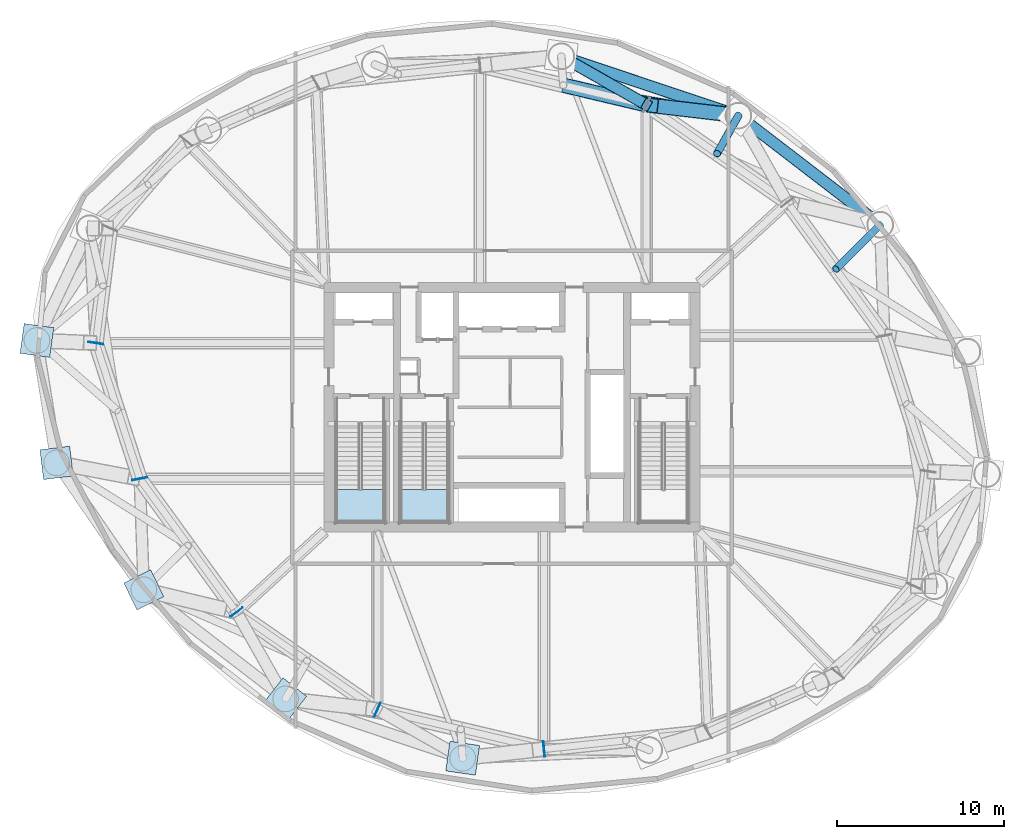
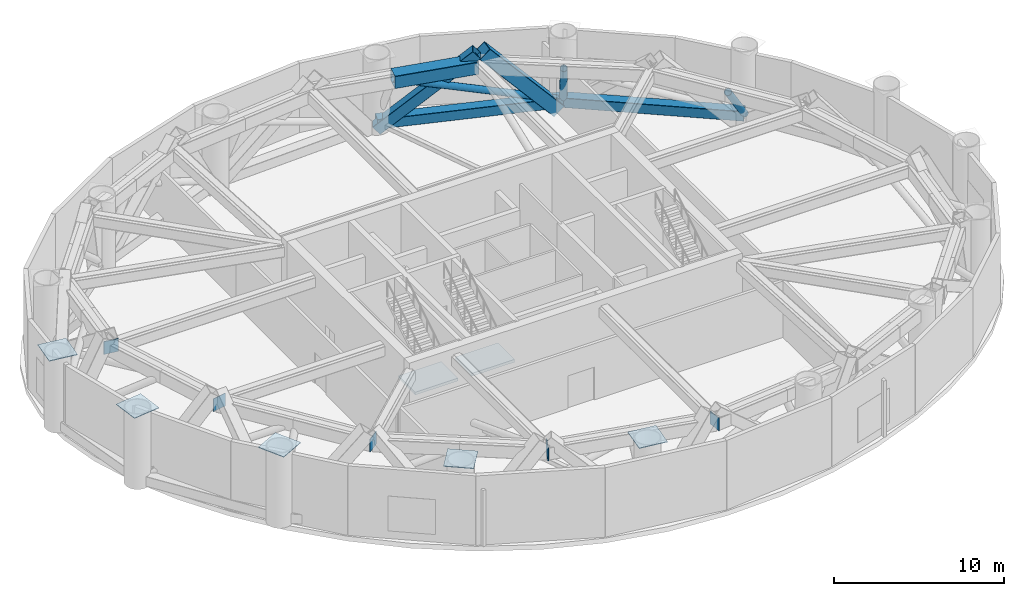
# One storey, part 4 of 13: 10 plates, 8 members, 2 slabs, 2 elements without a shape of their own.
"""IFC4 building model written with IfcOpenShell, lengths in metres."""

from ifc_helpers import new_model, si_unit, direction, frame, origin, origin_2d, place, context, subcontext, project, spatial, polyline, rectangle, hollow_rectangle, hollow_circle, outline, extrude, material, layer, layer_set, material_profile, profile_set, type_object, element, aggregate, save


model = new_model("IFC4")

# Units and contexts
model_context = context("Model", 3, precision=1e-05, world=origin(), true_north=direction((0.0, 1.0)))
body_context = subcontext(model_context, "Body", "Model", "MODEL_VIEW")
ifc_project = project(units=[si_unit("LENGTHUNIT", "METRE"), si_unit("AREAUNIT", "SQUARE_METRE"), si_unit("VOLUMEUNIT", "CUBIC_METRE"), si_unit("PLANEANGLEUNIT", "RADIAN"), si_unit("MASSUNIT", "GRAM", prefix="KILO")], contexts=[model_context])

# Site, building, storey
site_placement = place(None, origin())
site = spatial("IfcSite", under=ifc_project, at=site_placement, CompositionType="ELEMENT")
building_placement = place(site_placement, origin())
building = spatial("IfcBuilding", under=site, at=building_placement, Name="Bramvorn Convention Spire", CompositionType="ELEMENT")
storey_placement = place(building_placement, frame((0.0, 0.0, 97.39990234375)))
storey = spatial("IfcBuildingStorey", under=building, at=storey_placement, Name="L23", CompositionType="ELEMENT", Elevation=97.39990234375)

# Members
ifc_material_1 = material(Name="Steel CSA G40.21 Grade 350 (350W)", Category="steel")
ifc_material_profile_1 = material_profile(ifc_material_1, hollow_rectangle(XDim=0.699951171875, YDim=0.699951171875, WallThickness=0.034912109375, InnerFilletRadius=0.0009765625, OuterFilletRadius=0.034912109375, at=origin_2d()))
ifc_profile_set_1 = profile_set([ifc_material_profile_1], Name="Steel CSA G40.21 Grade 350 (350W) - BOX700X700X35")
member_type_1 = type_object("IfcMemberType", Name="MBR-BOX700X700X35", PredefinedType="CHORD", material=ifc_profile_set_1)
member_1_placement = place(storey_placement, frame((60.105224609375, 36.960205078125, 0.4501953125), z_axis=(-0.792672990445, 0.609647053809, 0.0), x_axis=(-0.609647053809, -0.792672990445, 0.0)))
element("IfcMember", 1, at=member_1_placement, inside=storey, type_object=member_type_1, Name="L23 belt truss bottom chord 3", PredefinedType="CHORD", context=body_context, shape_type="SweptSolid", body=[
    extrude(hollow_rectangle(XDim=0.699951171875, YDim=0.699951171875, WallThickness=0.034912109375, InnerFilletRadius=0.0009765625, OuterFilletRadius=0.034912109375, at=origin_2d()), origin(), (0.0, 0.0, 1.0), 10.741943359375),
])
member_2_placement = place(storey_placement, frame((51.59033203125, 43.509033203125, 0.4501953125), z_axis=(-0.948235872727, 0.317566890078, 0.0), x_axis=(-0.317566890078, -0.948235872727, 0.0)))
element("IfcMember", 2, at=member_2_placement, inside=storey, type_object=member_type_1, Name="L23 belt truss bottom chord 4", PredefinedType="CHORD", context=body_context, shape_type="SweptSolid", body=[
    extrude(hollow_rectangle(XDim=0.699951171875, YDim=0.699951171875, WallThickness=0.034912109375, InnerFilletRadius=0.0009765625, OuterFilletRadius=0.034912109375, at=origin_2d()), origin(), (0.0, 0.0, 1.0), 11.209716796875),
])
member_3_placement = place(storey_placement, frame((40.9609375, 47.06884765625, 0.0), z_axis=(0.640775593306, -0.364660842199, 0.675595373866), x_axis=(0.49460788428, 0.869116241252, 0.0)))
element("IfcMember", 3, at=member_3_placement, inside=storey, type_object=member_type_1, Name="L23 step-in secondary transfer strut MC05", PredefinedType="CHORD", context=body_context, shape_type="SweptSolid", body=[
    extrude(hollow_rectangle(XDim=0.699951171875, YDim=0.699951171875, WallThickness=0.034912109375, InnerFilletRadius=0.0009765625, OuterFilletRadius=0.034912109375, at=origin_2d()), origin(), (0.0, 0.0, 1.0), 7.9931640625),
])
ifc_material_profile_2 = material_profile(ifc_material_1, hollow_rectangle(XDim=0.89990234375, YDim=0.89990234375, WallThickness=0.044921875, InnerFilletRadius=0.0009765625, OuterFilletRadius=0.044921875, at=origin_2d()))
ifc_profile_set_2 = profile_set([ifc_material_profile_2], Name="Steel CSA G40.21 Grade 350 (350W) - BOX900X900X45")
member_type_2 = type_object("IfcMemberType", Name="MBR-BOX900X900X45", PredefinedType="CHORD", material=ifc_profile_set_2)
member_4_placement = place(storey_placement, frame((46.082763671875, 44.154052734375, 4.530029296875), z_axis=(-0.97322750491, 0.229843911572, 0.0), x_axis=(-0.229843911572, -0.97322750491, 0.0)))
element("IfcMember", 4, at=member_4_placement, inside=storey, type_object=member_type_2, Name="L23 belt truss top chord 5A", PredefinedType="CHORD", context=body_context, shape_type="SweptSolid", body=[
    extrude(hollow_rectangle(XDim=0.89990234375, YDim=0.89990234375, WallThickness=0.044921875, InnerFilletRadius=0.0009765625, OuterFilletRadius=0.044921875, at=origin_2d()), origin(), (0.0, 0.0, 1.0), 5.14111328125),
])
member_5_placement = place(storey_placement, frame((51.143310546875, 43.561279296875, 0.0), z_axis=(-0.655595679161, 0.076787289193, 0.751197722097), x_axis=(-0.116330760731, -0.993210528593, 0.0)))
element("IfcMember", 5, at=member_5_placement, inside=storey, type_object=member_type_2, Name="L23 step-in mega-column transfer strut MC05", PredefinedType="CHORD", context=body_context, shape_type="SweptSolid", body=[
    extrude(hollow_rectangle(XDim=0.89990234375, YDim=0.89990234375, WallThickness=0.044921875, InnerFilletRadius=0.0009765625, OuterFilletRadius=0.044921875, at=origin_2d()), origin(), (0.0, 0.0, 1.0), 7.188720703125),
])
ifc_material_profile_3 = material_profile(ifc_material_1, hollow_circle(Radius=0.228515625, WallThickness=0.01904296875, at=origin_2d()))
ifc_profile_set_3 = profile_set([ifc_material_profile_3], Name="Steel CSA G40.21 Grade 350 (350W) - CHS457X19")
member_type_3 = type_object("IfcMemberType", Name="MBR-CHS457X19", PredefinedType="BRACE", material=ifc_profile_set_3)
member_6_placement = place(storey_placement, frame((60.105224609375, 36.960205078125, 0.4501953125), z_axis=(-0.479858564622, -0.479682727845, 0.734602095401), x_axis=(0.706977191383, -0.707236347245, 0.0)))
element("IfcMember", 6, at=member_6_placement, inside=storey, type_object=member_type_3, Name="L23 ring belt diagonal 3B", PredefinedType="BRACE", context=body_context, shape_type="SweptSolid", body=[
    extrude(hollow_circle(Radius=0.228515625, WallThickness=0.01904296875, at=origin_2d()), origin(), (0.0, 0.0, 1.0), 5.5537109375),
])
member_7_placement = place(storey_placement, frame((51.59033203125, 43.509033203125, 0.4501953125), z_axis=(-0.264369240811, -0.470868362039, 0.841660198741), x_axis=(0.871966322925, -0.489565860416, 0.0)))
element("IfcMember", 7, at=member_7_placement, inside=storey, type_object=member_type_3, Name="L23 ring belt diagonal 4B", PredefinedType="BRACE", context=body_context, shape_type="SweptSolid", body=[
    extrude(hollow_circle(Radius=0.228515625, WallThickness=0.01904296875, at=origin_2d()), origin(), (0.0, 0.0, 1.0), 4.847412109375),
])
member_8_placement = place(storey_placement, frame((51.59033203125, 43.509033203125, 0.4501953125), z_axis=(-0.920238741123, 0.159924424804, 0.357190198196), x_axis=(-0.171219488354, -0.985232909929, 0.0)))
element("IfcMember", 8, at=member_8_placement, inside=storey, type_object=member_type_3, Name="L23 ring belt diagonal 5A", PredefinedType="BRACE", context=body_context, shape_type="SweptSolid", body=[
    extrude(hollow_circle(Radius=0.228515625, WallThickness=0.01904296875, at=origin_2d()), origin(), (0.0, 0.0, 1.0), 11.422119140625),
])

# Plates
ifc_layer_1 = layer(ifc_material_1, 0.044921875)
ifc_layer_set_1 = layer_set([ifc_layer_1], Name="Steel CSA G40.21 Grade 350 (350W) - PLT-NODE-CAP-45")
plate_type_1 = type_object("IfcPlateType", Name="PLT-NODE-CAP-45", PredefinedType="SHEET", material=ifc_layer_set_1)
for number, where, z_axis, x_axis, name in (
    (9, (9.480224609375, 30.00830078125, 5.400146484375), (0.0, 0.0, 1.0), (-0.990267984726, 0.13917369876, 0.0), "L23 CFT mega-column MC09 transition cap plate"),
    (10, (10.661376953125, 22.659912109375, 5.400146484375), (0.0, 0.0, 1.0), (-0.9926191329, -0.121273480201, 0.0), "L23 CFT mega-column MC10 transition cap plate"),
    (11, (15.894775390625, 15.039794921875, 5.400146484375), (0.0, 0.0, 1.0), (-0.895920156137, -0.444215121115, 0.0), "L23 CFT mega-column MC11 transition cap plate"),
    (12, (24.40966796875, 8.490966796875, 5.400146484375), (0.0, 0.0, 1.0), (-0.613158497897, -0.789959908133, 0.0), "L23 CFT mega-column MC12 transition cap plate"),
    (13, (35.0390625, 4.93115234375, 5.400146484375), (0.0, 0.0, 1.0), (-0.139171220798, -0.990268332979, 0.0), "L23 CFT mega-column MC13 transition cap plate"),
):
    element("IfcPlate", number, at=place(storey_placement, frame(where, z_axis=z_axis, x_axis=x_axis)), inside=storey, type_object=plate_type_1, Name=name, PredefinedType="SHEET", context=body_context, shape_type="SweptSolid", body=[
        extrude(rectangle(XDim=1.800048828125, YDim=1.800048828125, at=origin_2d()), origin(), (0.0, 0.0, 1.0), 0.044921875),
    ])
ifc_layer_2 = layer(ifc_material_1, 0.044921875)
ifc_layer_set_2 = layer_set([ifc_layer_2], Name="Steel CSA G40.21 Grade 350 (350W) - PLT-TRUSS-CAP-45")
plate_type_2 = type_object("IfcPlateType", Name="PLT-TRUSS-CAP-45", PredefinedType="SHEET", material=ifc_layer_set_2)
for number, where, z_axis, x_axis, name in (
    (14, (13.016357421875, 29.851806640625, 4.070068359375), (0.0, 0.0, 1.0), (-0.988323766562, 0.152368410274, 0.0), "Truss node KN-23-10 closed end-cap plate"),
    (15, (15.654296875, 21.706787109375, 4.070068359375), (0.0, 0.0, 1.0), (-0.982040253969, -0.188671512384, 0.0), "Truss node KN-23-11 closed end-cap plate"),
    (16, (21.465087890625, 13.700927734375, 4.070068359375), (0.0, 0.0, 1.0), (-0.802371890462, -0.596824387401, 0.0), "Truss node KN-23-12 closed end-cap plate"),
    (17, (29.917236328125, 7.845947265625, 4.070068359375), (0.0, 0.0, 1.0), (-0.406737417797, -0.913545112714, 0.0), "Truss node KN-23-13 closed end-cap plate"),
    (18, (39.924072265625, 5.482666015625, 4.070068359375), (0.0, 0.0, 1.0), (0.093364459735, -0.995631999113, 0.0), "Truss node KN-23-14 closed end-cap plate"),
):
    element("IfcPlate", number, at=place(storey_placement, frame(where, z_axis=z_axis, x_axis=x_axis)), inside=storey, type_object=plate_type_2, Name=name, PredefinedType="SHEET", context=body_context, shape_type="SweptSolid", body=[
        extrude(rectangle(XDim=0.919921875, YDim=0.044921875, at=origin_2d()), origin(), (0.0, 0.0, 1.0), 0.919921875),
    ])

# Stair, slab
ifc_material_2 = material(Name="Concrete C40/50 Precast Stair", Category="concrete")
stair_type = type_object("IfcStairType", Name="ST-TOWER-1550", PredefinedType="HALF_TURN_STAIR", material=ifc_material_2)
stair_1_placement = place(storey_placement, origin())
stair_1 = element("IfcStair", 19, at=stair_1_placement, inside=storey, type_object=stair_type, Name="L23 Protected Exit Stair ST1", PredefinedType="HALF_TURN_STAIR")
ifc_material_3 = material(Name="Concrete C40/50 Stair Landing", Category="concrete")
ifc_layer_3 = layer(ifc_material_3, 0.219970703125)
ifc_layer_set_3 = layer_set([ifc_layer_3], Name="Concrete C40/50 Stair Landing - SLB-STAIR-LANDING")
slab_type = type_object("IfcSlabType", Name="SLB-STAIR-LANDING", PredefinedType="LANDING", material=ifc_layer_set_3)
slab_1_placement = place(storey_placement, frame((0.0, 0.0, 2.5)))
slab_1 = element("IfcSlab", 20, at=slab_1_placement, type_object=slab_type, Name="ST1 landing 1", PredefinedType="LANDING", context=body_context, shape_type="SweptSolid", body=[
    extrude(outline(polyline([(27.449951171875, 21.06005859375), (27.449951171875, 19.10009765625), (30.35009765625, 19.10009765625), (30.35009765625, 21.06005859375), (27.449951171875, 21.06005859375)])), origin(), (0.0, 0.0, 1.0), 0.2001953125),
])
aggregate(stair_1, [slab_1])

stair_2_placement = place(storey_placement, origin())
stair_2 = element("IfcStair", 21, at=stair_2_placement, inside=storey, type_object=stair_type, Name="L23 Protected Exit Stair ST3", PredefinedType="HALF_TURN_STAIR")
slab_2_placement = place(storey_placement, frame((0.0, 0.0, 2.5)))
slab_2 = element("IfcSlab", 22, at=slab_2_placement, type_object=slab_type, Name="ST3 landing 1", PredefinedType="LANDING", context=body_context, shape_type="SweptSolid", body=[
    extrude(outline(polyline([(31.300048828125, 21.06005859375), (31.300048828125, 19.10009765625), (34.199951171875, 19.10009765625), (34.199951171875, 21.06005859375), (31.300048828125, 21.06005859375)])), origin(), (0.0, 0.0, 1.0), 0.2001953125),
])
aggregate(stair_2, [slab_2])

save(model, "model.ifc")
